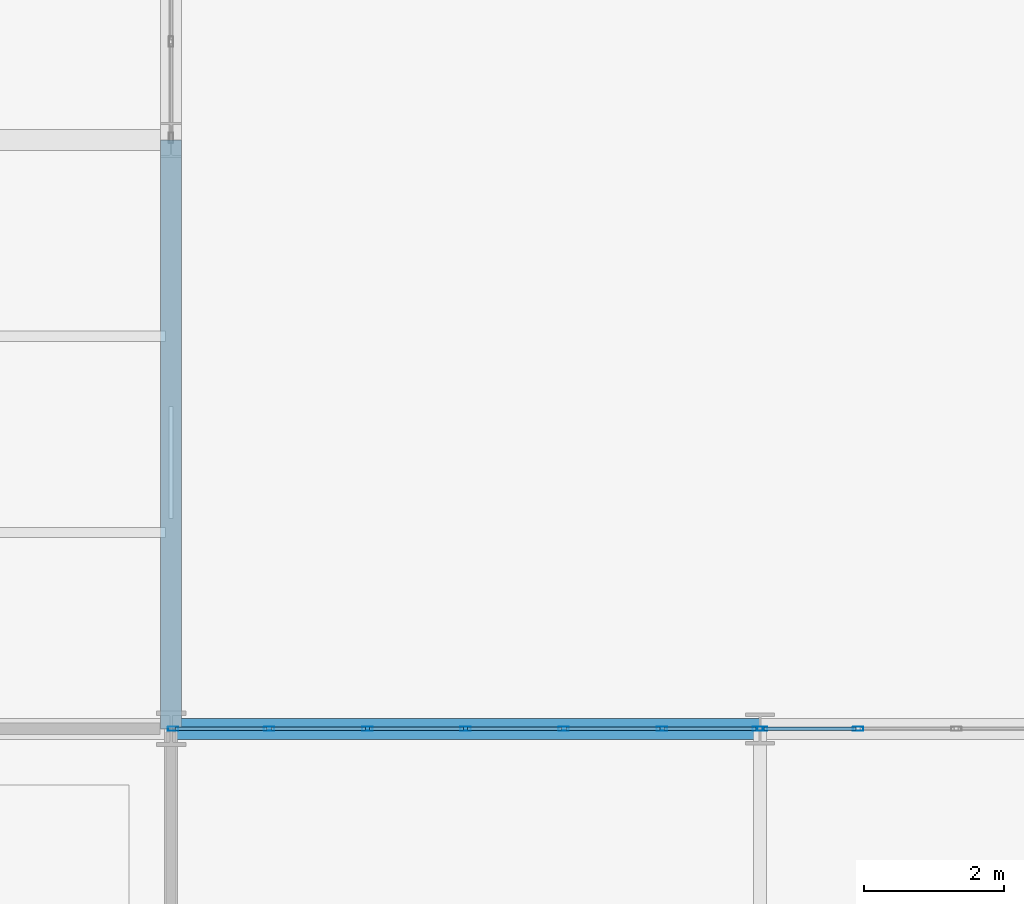
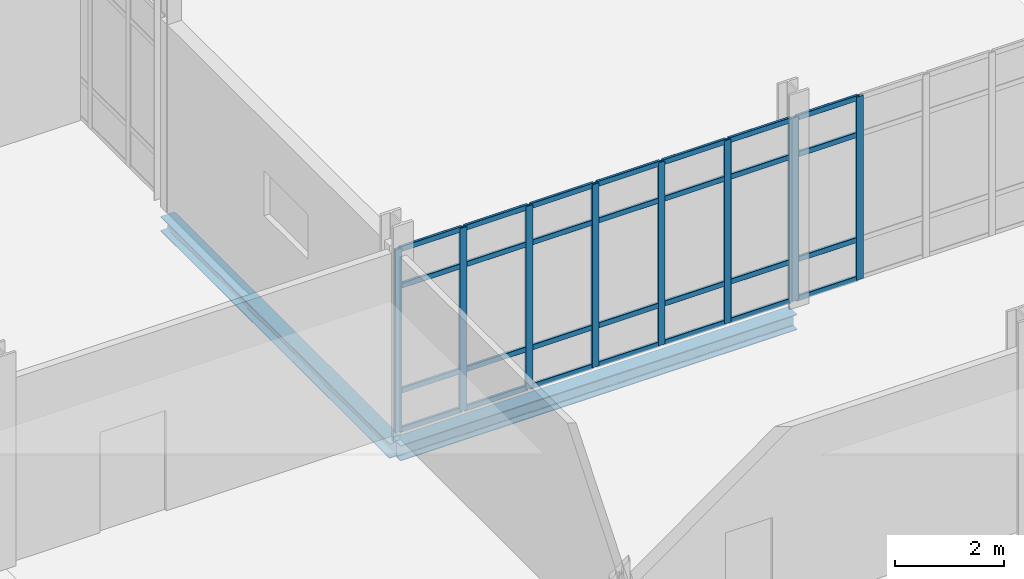
# One storey, part 39 of 145: 37 members, 2 beams, 2 elements without a shape of their own.
"""IFC4 building model written with IfcOpenShell, lengths in metres."""

from ifc_helpers import new_model, si_unit, direction, frame, origin, origin_2d, place, context, subcontext, project, spatial, hollow_rectangle, i_section, extrude, material, layer, layer_set, material_profile, profile_set, type_object, element, aggregate, save


model = new_model("IFC4")

# Units and contexts
model_context = context("Model", 3, precision=1e-05, world=origin(), true_north=direction((0.0, 1.0)))
body_context = subcontext(model_context, "Body", "Model", "MODEL_VIEW")
ifc_project = project(units=[si_unit("LENGTHUNIT", "METRE"), si_unit("AREAUNIT", "SQUARE_METRE"), si_unit("VOLUMEUNIT", "CUBIC_METRE"), si_unit("PLANEANGLEUNIT", "RADIAN"), si_unit("MASSUNIT", "GRAM", prefix="KILO")], contexts=[model_context])

# Site, building, storey
site_placement = place(None, origin())
site = spatial("IfcSite", under=ifc_project, at=site_placement, CompositionType="ELEMENT")
building_placement = place(site_placement, origin())
building = spatial("IfcBuilding", under=site, at=building_placement, Name="Qalvenar Corner Mobility Hub", CompositionType="ELEMENT")
storey_placement = place(building_placement, origin())
storey = spatial("IfcBuildingStorey", under=building, at=storey_placement, Name="L00", CompositionType="ELEMENT", Elevation=0.0)

# Beams
ifc_material_1 = material(Name="Steel S355", Category="steel")
ifc_material_profile_1 = material_profile(ifc_material_1, i_section(OverallWidth=0.300048828125, OverallDepth=0.330078125, WebThickness=0.009521484375, FlangeThickness=0.0166015625, FilletRadius=0.027099609375, at=origin_2d()), Name="HEA340")
ifc_profile_set_1 = profile_set([ifc_material_profile_1], Name="Steel S355")
beam_type_1 = type_object("IfcBeamType", Name="BM-SPN340", PredefinedType="SPANDREL", material=ifc_profile_set_1)
beam_1_placement = place(storey_placement, frame((33.60009765625, 42.0, -0.385009765625), z_axis=(0.0, 1.0, 0.0), x_axis=(-1.0, 0.0, 0.0)))
element("IfcBeam", 1, at=beam_1_placement, inside=storey, type_object=beam_type_1, Name="Primary Steel Girder GY-0471", PredefinedType="SPANDREL", context=body_context, shape_type="SweptSolid", body=[
    extrude(i_section(OverallWidth=0.300048828125, OverallDepth=0.330078125, WebThickness=0.009521484375, FlangeThickness=0.0166015625, FilletRadius=0.027099609375, at=origin_2d()), origin(), (0.0, 0.0, 1.0), 8.39990234375),
])
ifc_material_profile_2 = material_profile(ifc_material_1, i_section(OverallWidth=0.300048828125, OverallDepth=0.35009765625, WebThickness=0.010009765625, FlangeThickness=0.017578125, FilletRadius=0.027099609375, at=origin_2d()), Name="HEA360")
ifc_profile_set_2 = profile_set([ifc_material_profile_2], Name="Steel S355")
beam_type_2 = type_object("IfcBeamType", Name="BM-SPN360", PredefinedType="SPANDREL", material=ifc_profile_set_2)
beam_2_placement = place(storey_placement, frame((33.60009765625, 42.0, -0.39501953125), z_axis=(1.0, 0.0, 0.0), x_axis=(0.0, 1.0, 0.0)))
element("IfcBeam", 2, at=beam_2_placement, inside=storey, type_object=beam_type_2, Name="Primary Steel Girder GX-0035", PredefinedType="SPANDREL", context=body_context, shape_type="SweptSolid", body=[
    extrude(i_section(OverallWidth=0.300048828125, OverallDepth=0.35009765625, WebThickness=0.010009765625, FlangeThickness=0.017578125, FilletRadius=0.027099609375, at=origin_2d()), origin(), (0.0, 0.0, 1.0), 8.39990234375),
])

# Curtain wall, members
ifc_material_2 = material(Name="Anodised Aluminium and Low-E Glazing", Category="aluminium")
ifc_layer = layer(ifc_material_2, 0.14990234375)
ifc_layer_set = layer_set([ifc_layer], Name="Anodised Aluminium and Low-E Glazing")
curtain_wall_type = type_object("IfcCurtainWallType", Name="CW-CIV-84X46", PredefinedType="NOTDEFINED", material=ifc_layer_set)
curtain_wall_1_placement = place(storey_placement, origin())
curtain_wall_1 = element("IfcCurtainWall", 3, at=curtain_wall_1_placement, inside=storey, type_object=curtain_wall_type, Name="Glazed Curtain Wall CW-V3-L00-N005", PredefinedType="NOTDEFINED")
ifc_material_3 = material(Name="Anodised Aluminium 6063-T6", Category="aluminium")
ifc_material_profile_3 = material_profile(ifc_material_3, hollow_rectangle(XDim=0.06005859375, YDim=0.14990234375, WallThickness=0.00390625, InnerFilletRadius=0.00390625, OuterFilletRadius=0.008056640625, at=origin_2d()), Name="RHS150x60x4")
ifc_profile_set_3 = profile_set([ifc_material_profile_3], Name="Anodised Aluminium 6063-T6")
member_type_1 = type_object("IfcMemberType", Name="CW-MUL150", PredefinedType="MULLION", material=ifc_profile_set_3)
member_1_placement = place(storey_placement, frame((43.39990234375, 42.0, 0.0), z_axis=(0.0, 0.0, 1.0), x_axis=(0.0, -1.0, 0.0)))
member_1 = element("IfcMember", 4, at=member_1_placement, type_object=member_type_1, Name="CW-04 mullion 6", PredefinedType="MULLION", context=body_context, shape_type="SweptSolid", body=[
    extrude(hollow_rectangle(XDim=0.06005859375, YDim=0.14990234375, WallThickness=0.00390625, InnerFilletRadius=0.00390625, OuterFilletRadius=0.008056640625, at=origin_2d()), origin(), (0.0, 0.0, 1.0), 4.10009765625),
])
member_2_placement = place(storey_placement, frame((42.030029296875, 42.0, 0.0), z_axis=(0.0, 0.0, 1.0), x_axis=(0.0, -1.0, 0.0)))
member_2 = element("IfcMember", 5, at=member_2_placement, type_object=member_type_1, Name="CW-04 mullion 7", PredefinedType="MULLION", context=body_context, shape_type="SweptSolid", body=[
    extrude(hollow_rectangle(XDim=0.06005859375, YDim=0.14990234375, WallThickness=0.00390625, InnerFilletRadius=0.00390625, OuterFilletRadius=0.008056640625, at=origin_2d()), origin(), (0.0, 0.0, 1.0), 4.10009765625),
])

curtain_wall_2_placement = place(storey_placement, origin())
curtain_wall_2 = element("IfcCurtainWall", 6, at=curtain_wall_2_placement, inside=storey, type_object=curtain_wall_type, Name="Glazed Curtain Wall CW-V3-L00-N006", PredefinedType="NOTDEFINED")
member_3_placement = place(storey_placement, frame((41.969970703125, 42.0, 0.0), z_axis=(0.0, 0.0, 1.0), x_axis=(0.0, -1.0, 0.0)))
member_3 = element("IfcMember", 7, at=member_3_placement, type_object=member_type_1, Name="CW-04 mullion 1", PredefinedType="MULLION", context=body_context, shape_type="SweptSolid", body=[
    extrude(hollow_rectangle(XDim=0.06005859375, YDim=0.14990234375, WallThickness=0.00390625, InnerFilletRadius=0.00390625, OuterFilletRadius=0.008056640625, at=origin_2d()), origin(), (0.0, 0.0, 1.0), 4.10009765625),
])
member_4_placement = place(storey_placement, frame((40.60009765625, 42.0, 0.0), z_axis=(0.0, 0.0, 1.0), x_axis=(0.0, -1.0, 0.0)))
member_4 = element("IfcMember", 8, at=member_4_placement, type_object=member_type_1, Name="CW-04 mullion 2", PredefinedType="MULLION", context=body_context, shape_type="SweptSolid", body=[
    extrude(hollow_rectangle(XDim=0.06005859375, YDim=0.14990234375, WallThickness=0.00390625, InnerFilletRadius=0.00390625, OuterFilletRadius=0.008056640625, at=origin_2d()), origin(), (0.0, 0.0, 1.0), 4.10009765625),
])
member_5_placement = place(storey_placement, frame((39.199951171875, 42.0, 0.0), z_axis=(0.0, 0.0, 1.0), x_axis=(0.0, -1.0, 0.0)))
member_5 = element("IfcMember", 9, at=member_5_placement, type_object=member_type_1, Name="CW-04 mullion 3", PredefinedType="MULLION", context=body_context, shape_type="SweptSolid", body=[
    extrude(hollow_rectangle(XDim=0.06005859375, YDim=0.14990234375, WallThickness=0.00390625, InnerFilletRadius=0.00390625, OuterFilletRadius=0.008056640625, at=origin_2d()), origin(), (0.0, 0.0, 1.0), 4.10009765625),
])
member_6_placement = place(storey_placement, frame((37.800048828125, 42.0, 0.0), z_axis=(0.0, 0.0, 1.0), x_axis=(0.0, -1.0, 0.0)))
member_6 = element("IfcMember", 10, at=member_6_placement, type_object=member_type_1, Name="CW-04 mullion 4", PredefinedType="MULLION", context=body_context, shape_type="SweptSolid", body=[
    extrude(hollow_rectangle(XDim=0.06005859375, YDim=0.14990234375, WallThickness=0.00390625, InnerFilletRadius=0.00390625, OuterFilletRadius=0.008056640625, at=origin_2d()), origin(), (0.0, 0.0, 1.0), 4.10009765625),
])
member_7_placement = place(storey_placement, frame((36.39990234375, 42.0, 0.0), z_axis=(0.0, 0.0, 1.0), x_axis=(0.0, -1.0, 0.0)))
member_7 = element("IfcMember", 11, at=member_7_placement, type_object=member_type_1, Name="CW-04 mullion 5", PredefinedType="MULLION", context=body_context, shape_type="SweptSolid", body=[
    extrude(hollow_rectangle(XDim=0.06005859375, YDim=0.14990234375, WallThickness=0.00390625, InnerFilletRadius=0.00390625, OuterFilletRadius=0.008056640625, at=origin_2d()), origin(), (0.0, 0.0, 1.0), 4.10009765625),
])
member_8_placement = place(storey_placement, frame((35.0, 42.0, 0.0), z_axis=(0.0, 0.0, 1.0), x_axis=(0.0, -1.0, 0.0)))
member_8 = element("IfcMember", 12, at=member_8_placement, type_object=member_type_1, Name="CW-04 mullion 6", PredefinedType="MULLION", context=body_context, shape_type="SweptSolid", body=[
    extrude(hollow_rectangle(XDim=0.06005859375, YDim=0.14990234375, WallThickness=0.00390625, InnerFilletRadius=0.00390625, OuterFilletRadius=0.008056640625, at=origin_2d()), origin(), (0.0, 0.0, 1.0), 4.10009765625),
])
member_9_placement = place(storey_placement, frame((33.6298828125, 42.0, 0.0), z_axis=(0.0, 0.0, 1.0), x_axis=(0.0, -1.0, 0.0)))
member_9 = element("IfcMember", 13, at=member_9_placement, type_object=member_type_1, Name="CW-04 mullion 7", PredefinedType="MULLION", context=body_context, shape_type="SweptSolid", body=[
    extrude(hollow_rectangle(XDim=0.06005859375, YDim=0.14990234375, WallThickness=0.00390625, InnerFilletRadius=0.00390625, OuterFilletRadius=0.008056640625, at=origin_2d()), origin(), (0.0, 0.0, 1.0), 4.10009765625),
])

# Member
ifc_material_profile_4 = material_profile(ifc_material_3, hollow_rectangle(XDim=0.054931640625, YDim=0.1201171875, WallThickness=0.00341796875, InnerFilletRadius=0.00341796875, OuterFilletRadius=0.007080078125, at=origin_2d()), Name="RHS120x55x3.5")
ifc_profile_set_4 = profile_set([ifc_material_profile_4], Name="Anodised Aluminium 6063-T6")
member_type_2 = type_object("IfcMemberType", Name="CW-TRN120", PredefinedType="USERDEFINED", material=ifc_profile_set_4)
member_10_placement = place(storey_placement, frame((43.3701171875, 42.0, 0.027587890625), z_axis=(-1.0, 0.0, 0.0), x_axis=(0.0, -1.0, 0.0)))
member_10 = element("IfcMember", 14, at=member_10_placement, type_object=member_type_2, Name="CW-04 transom 6.1", ObjectType="TRANSOM", PredefinedType="USERDEFINED", context=body_context, shape_type="SweptSolid", body=[
    extrude(hollow_rectangle(XDim=0.054931640625, YDim=0.1201171875, WallThickness=0.00341796875, InnerFilletRadius=0.00341796875, OuterFilletRadius=0.007080078125, at=origin_2d()), origin(), (0.0, 0.0, 1.0), 1.31005859375),
])

member_11_placement = place(storey_placement, frame((43.3701171875, 42.0, 0.89990234375), z_axis=(-1.0, 0.0, 0.0), x_axis=(0.0, -1.0, 0.0)))
member_11 = element("IfcMember", 15, at=member_11_placement, type_object=member_type_2, Name="CW-04 transom 6.2", ObjectType="TRANSOM", PredefinedType="USERDEFINED", context=body_context, shape_type="SweptSolid", body=[
    extrude(hollow_rectangle(XDim=0.054931640625, YDim=0.1201171875, WallThickness=0.00341796875, InnerFilletRadius=0.00341796875, OuterFilletRadius=0.007080078125, at=origin_2d()), origin(), (0.0, 0.0, 1.0), 1.31005859375),
])

member_12_placement = place(storey_placement, frame((43.3701171875, 42.0, 3.25), z_axis=(-1.0, 0.0, 0.0), x_axis=(0.0, -1.0, 0.0)))
member_12 = element("IfcMember", 16, at=member_12_placement, type_object=member_type_2, Name="CW-04 transom 6.3", ObjectType="TRANSOM", PredefinedType="USERDEFINED", context=body_context, shape_type="SweptSolid", body=[
    extrude(hollow_rectangle(XDim=0.054931640625, YDim=0.1201171875, WallThickness=0.00341796875, InnerFilletRadius=0.00341796875, OuterFilletRadius=0.007080078125, at=origin_2d()), origin(), (0.0, 0.0, 1.0), 1.31005859375),
])

member_13_placement = place(storey_placement, frame((43.3701171875, 42.0, 4.072509765625), z_axis=(-1.0, 0.0, 0.0), x_axis=(0.0, -1.0, 0.0)))
member_13 = element("IfcMember", 17, at=member_13_placement, type_object=member_type_2, Name="CW-04 transom 6.4", ObjectType="TRANSOM", PredefinedType="USERDEFINED", context=body_context, shape_type="SweptSolid", body=[
    extrude(hollow_rectangle(XDim=0.054931640625, YDim=0.1201171875, WallThickness=0.00341796875, InnerFilletRadius=0.00341796875, OuterFilletRadius=0.007080078125, at=origin_2d()), origin(), (0.0, 0.0, 1.0), 1.31005859375),
])

aggregate(curtain_wall_1, [member_1, member_2, member_10, member_11, member_12, member_13])

member_14_placement = place(storey_placement, frame((41.93994140625, 42.0, 0.027587890625), z_axis=(-1.0, 0.0, 0.0), x_axis=(0.0, -1.0, 0.0)))
member_14 = element("IfcMember", 18, at=member_14_placement, type_object=member_type_2, Name="CW-04 transom 1.1", ObjectType="TRANSOM", PredefinedType="USERDEFINED", context=body_context, shape_type="SweptSolid", body=[
    extrude(hollow_rectangle(XDim=0.054931640625, YDim=0.1201171875, WallThickness=0.00341796875, InnerFilletRadius=0.00341796875, OuterFilletRadius=0.007080078125, at=origin_2d()), origin(), (0.0, 0.0, 1.0), 1.31005859375),
])

member_15_placement = place(storey_placement, frame((41.93994140625, 42.0, 0.89990234375), z_axis=(-1.0, 0.0, 0.0), x_axis=(0.0, -1.0, 0.0)))
member_15 = element("IfcMember", 19, at=member_15_placement, type_object=member_type_2, Name="CW-04 transom 1.2", ObjectType="TRANSOM", PredefinedType="USERDEFINED", context=body_context, shape_type="SweptSolid", body=[
    extrude(hollow_rectangle(XDim=0.054931640625, YDim=0.1201171875, WallThickness=0.00341796875, InnerFilletRadius=0.00341796875, OuterFilletRadius=0.007080078125, at=origin_2d()), origin(), (0.0, 0.0, 1.0), 1.31005859375),
])

member_16_placement = place(storey_placement, frame((41.93994140625, 42.0, 3.25), z_axis=(-1.0, 0.0, 0.0), x_axis=(0.0, -1.0, 0.0)))
member_16 = element("IfcMember", 20, at=member_16_placement, type_object=member_type_2, Name="CW-04 transom 1.3", ObjectType="TRANSOM", PredefinedType="USERDEFINED", context=body_context, shape_type="SweptSolid", body=[
    extrude(hollow_rectangle(XDim=0.054931640625, YDim=0.1201171875, WallThickness=0.00341796875, InnerFilletRadius=0.00341796875, OuterFilletRadius=0.007080078125, at=origin_2d()), origin(), (0.0, 0.0, 1.0), 1.31005859375),
])

member_17_placement = place(storey_placement, frame((41.93994140625, 42.0, 4.072509765625), z_axis=(-1.0, 0.0, 0.0), x_axis=(0.0, -1.0, 0.0)))
member_17 = element("IfcMember", 21, at=member_17_placement, type_object=member_type_2, Name="CW-04 transom 1.4", ObjectType="TRANSOM", PredefinedType="USERDEFINED", context=body_context, shape_type="SweptSolid", body=[
    extrude(hollow_rectangle(XDim=0.054931640625, YDim=0.1201171875, WallThickness=0.00341796875, InnerFilletRadius=0.00341796875, OuterFilletRadius=0.007080078125, at=origin_2d()), origin(), (0.0, 0.0, 1.0), 1.31005859375),
])

member_18_placement = place(storey_placement, frame((40.570068359375, 42.0, 0.027587890625), z_axis=(-1.0, 0.0, 0.0), x_axis=(0.0, -1.0, 0.0)))
member_18 = element("IfcMember", 22, at=member_18_placement, type_object=member_type_2, Name="CW-04 transom 2.1", ObjectType="TRANSOM", PredefinedType="USERDEFINED", context=body_context, shape_type="SweptSolid", body=[
    extrude(hollow_rectangle(XDim=0.054931640625, YDim=0.1201171875, WallThickness=0.00341796875, InnerFilletRadius=0.00341796875, OuterFilletRadius=0.007080078125, at=origin_2d()), origin(), (0.0, 0.0, 1.0), 1.340087890625),
])

member_19_placement = place(storey_placement, frame((40.570068359375, 42.0, 0.89990234375), z_axis=(-1.0, 0.0, 0.0), x_axis=(0.0, -1.0, 0.0)))
member_19 = element("IfcMember", 23, at=member_19_placement, type_object=member_type_2, Name="CW-04 transom 2.2", ObjectType="TRANSOM", PredefinedType="USERDEFINED", context=body_context, shape_type="SweptSolid", body=[
    extrude(hollow_rectangle(XDim=0.054931640625, YDim=0.1201171875, WallThickness=0.00341796875, InnerFilletRadius=0.00341796875, OuterFilletRadius=0.007080078125, at=origin_2d()), origin(), (0.0, 0.0, 1.0), 1.340087890625),
])

member_20_placement = place(storey_placement, frame((40.570068359375, 42.0, 3.25), z_axis=(-1.0, 0.0, 0.0), x_axis=(0.0, -1.0, 0.0)))
member_20 = element("IfcMember", 24, at=member_20_placement, type_object=member_type_2, Name="CW-04 transom 2.3", ObjectType="TRANSOM", PredefinedType="USERDEFINED", context=body_context, shape_type="SweptSolid", body=[
    extrude(hollow_rectangle(XDim=0.054931640625, YDim=0.1201171875, WallThickness=0.00341796875, InnerFilletRadius=0.00341796875, OuterFilletRadius=0.007080078125, at=origin_2d()), origin(), (0.0, 0.0, 1.0), 1.340087890625),
])

member_21_placement = place(storey_placement, frame((40.570068359375, 42.0, 4.072509765625), z_axis=(-1.0, 0.0, 0.0), x_axis=(0.0, -1.0, 0.0)))
member_21 = element("IfcMember", 25, at=member_21_placement, type_object=member_type_2, Name="CW-04 transom 2.4", ObjectType="TRANSOM", PredefinedType="USERDEFINED", context=body_context, shape_type="SweptSolid", body=[
    extrude(hollow_rectangle(XDim=0.054931640625, YDim=0.1201171875, WallThickness=0.00341796875, InnerFilletRadius=0.00341796875, OuterFilletRadius=0.007080078125, at=origin_2d()), origin(), (0.0, 0.0, 1.0), 1.340087890625),
])

member_22_placement = place(storey_placement, frame((39.169921875, 42.0, 0.027587890625), z_axis=(-1.0, 0.0, 0.0), x_axis=(0.0, -1.0, 0.0)))
member_22 = element("IfcMember", 26, at=member_22_placement, type_object=member_type_2, Name="CW-04 transom 3.1", ObjectType="TRANSOM", PredefinedType="USERDEFINED", context=body_context, shape_type="SweptSolid", body=[
    extrude(hollow_rectangle(XDim=0.054931640625, YDim=0.1201171875, WallThickness=0.00341796875, InnerFilletRadius=0.00341796875, OuterFilletRadius=0.007080078125, at=origin_2d()), origin(), (0.0, 0.0, 1.0), 1.33984375),
])

member_23_placement = place(storey_placement, frame((39.169921875, 42.0, 0.89990234375), z_axis=(-1.0, 0.0, 0.0), x_axis=(0.0, -1.0, 0.0)))
member_23 = element("IfcMember", 27, at=member_23_placement, type_object=member_type_2, Name="CW-04 transom 3.2", ObjectType="TRANSOM", PredefinedType="USERDEFINED", context=body_context, shape_type="SweptSolid", body=[
    extrude(hollow_rectangle(XDim=0.054931640625, YDim=0.1201171875, WallThickness=0.00341796875, InnerFilletRadius=0.00341796875, OuterFilletRadius=0.007080078125, at=origin_2d()), origin(), (0.0, 0.0, 1.0), 1.33984375),
])

member_24_placement = place(storey_placement, frame((39.169921875, 42.0, 3.25), z_axis=(-1.0, 0.0, 0.0), x_axis=(0.0, -1.0, 0.0)))
member_24 = element("IfcMember", 28, at=member_24_placement, type_object=member_type_2, Name="CW-04 transom 3.3", ObjectType="TRANSOM", PredefinedType="USERDEFINED", context=body_context, shape_type="SweptSolid", body=[
    extrude(hollow_rectangle(XDim=0.054931640625, YDim=0.1201171875, WallThickness=0.00341796875, InnerFilletRadius=0.00341796875, OuterFilletRadius=0.007080078125, at=origin_2d()), origin(), (0.0, 0.0, 1.0), 1.33984375),
])

member_25_placement = place(storey_placement, frame((39.169921875, 42.0, 4.072509765625), z_axis=(-1.0, 0.0, 0.0), x_axis=(0.0, -1.0, 0.0)))
member_25 = element("IfcMember", 29, at=member_25_placement, type_object=member_type_2, Name="CW-04 transom 3.4", ObjectType="TRANSOM", PredefinedType="USERDEFINED", context=body_context, shape_type="SweptSolid", body=[
    extrude(hollow_rectangle(XDim=0.054931640625, YDim=0.1201171875, WallThickness=0.00341796875, InnerFilletRadius=0.00341796875, OuterFilletRadius=0.007080078125, at=origin_2d()), origin(), (0.0, 0.0, 1.0), 1.33984375),
])

member_26_placement = place(storey_placement, frame((37.77001953125, 42.0, 0.027587890625), z_axis=(-1.0, 0.0, 0.0), x_axis=(0.0, -1.0, 0.0)))
member_26 = element("IfcMember", 30, at=member_26_placement, type_object=member_type_2, Name="CW-04 transom 4.1", ObjectType="TRANSOM", PredefinedType="USERDEFINED", context=body_context, shape_type="SweptSolid", body=[
    extrude(hollow_rectangle(XDim=0.054931640625, YDim=0.1201171875, WallThickness=0.00341796875, InnerFilletRadius=0.00341796875, OuterFilletRadius=0.007080078125, at=origin_2d()), origin(), (0.0, 0.0, 1.0), 1.340087890625),
])

member_27_placement = place(storey_placement, frame((37.77001953125, 42.0, 0.89990234375), z_axis=(-1.0, 0.0, 0.0), x_axis=(0.0, -1.0, 0.0)))
member_27 = element("IfcMember", 31, at=member_27_placement, type_object=member_type_2, Name="CW-04 transom 4.2", ObjectType="TRANSOM", PredefinedType="USERDEFINED", context=body_context, shape_type="SweptSolid", body=[
    extrude(hollow_rectangle(XDim=0.054931640625, YDim=0.1201171875, WallThickness=0.00341796875, InnerFilletRadius=0.00341796875, OuterFilletRadius=0.007080078125, at=origin_2d()), origin(), (0.0, 0.0, 1.0), 1.340087890625),
])

member_28_placement = place(storey_placement, frame((37.77001953125, 42.0, 3.25), z_axis=(-1.0, 0.0, 0.0), x_axis=(0.0, -1.0, 0.0)))
member_28 = element("IfcMember", 32, at=member_28_placement, type_object=member_type_2, Name="CW-04 transom 4.3", ObjectType="TRANSOM", PredefinedType="USERDEFINED", context=body_context, shape_type="SweptSolid", body=[
    extrude(hollow_rectangle(XDim=0.054931640625, YDim=0.1201171875, WallThickness=0.00341796875, InnerFilletRadius=0.00341796875, OuterFilletRadius=0.007080078125, at=origin_2d()), origin(), (0.0, 0.0, 1.0), 1.340087890625),
])

member_29_placement = place(storey_placement, frame((37.77001953125, 42.0, 4.072509765625), z_axis=(-1.0, 0.0, 0.0), x_axis=(0.0, -1.0, 0.0)))
member_29 = element("IfcMember", 33, at=member_29_placement, type_object=member_type_2, Name="CW-04 transom 4.4", ObjectType="TRANSOM", PredefinedType="USERDEFINED", context=body_context, shape_type="SweptSolid", body=[
    extrude(hollow_rectangle(XDim=0.054931640625, YDim=0.1201171875, WallThickness=0.00341796875, InnerFilletRadius=0.00341796875, OuterFilletRadius=0.007080078125, at=origin_2d()), origin(), (0.0, 0.0, 1.0), 1.340087890625),
])

member_30_placement = place(storey_placement, frame((36.3701171875, 42.0, 0.027587890625), z_axis=(-1.0, 0.0, 0.0), x_axis=(0.0, -1.0, 0.0)))
member_30 = element("IfcMember", 34, at=member_30_placement, type_object=member_type_2, Name="CW-04 transom 5.1", ObjectType="TRANSOM", PredefinedType="USERDEFINED", context=body_context, shape_type="SweptSolid", body=[
    extrude(hollow_rectangle(XDim=0.054931640625, YDim=0.1201171875, WallThickness=0.00341796875, InnerFilletRadius=0.00341796875, OuterFilletRadius=0.007080078125, at=origin_2d()), origin(), (0.0, 0.0, 1.0), 1.340087890625),
])

member_31_placement = place(storey_placement, frame((36.3701171875, 42.0, 0.89990234375), z_axis=(-1.0, 0.0, 0.0), x_axis=(0.0, -1.0, 0.0)))
member_31 = element("IfcMember", 35, at=member_31_placement, type_object=member_type_2, Name="CW-04 transom 5.2", ObjectType="TRANSOM", PredefinedType="USERDEFINED", context=body_context, shape_type="SweptSolid", body=[
    extrude(hollow_rectangle(XDim=0.054931640625, YDim=0.1201171875, WallThickness=0.00341796875, InnerFilletRadius=0.00341796875, OuterFilletRadius=0.007080078125, at=origin_2d()), origin(), (0.0, 0.0, 1.0), 1.340087890625),
])

member_32_placement = place(storey_placement, frame((36.3701171875, 42.0, 3.25), z_axis=(-1.0, 0.0, 0.0), x_axis=(0.0, -1.0, 0.0)))
member_32 = element("IfcMember", 36, at=member_32_placement, type_object=member_type_2, Name="CW-04 transom 5.3", ObjectType="TRANSOM", PredefinedType="USERDEFINED", context=body_context, shape_type="SweptSolid", body=[
    extrude(hollow_rectangle(XDim=0.054931640625, YDim=0.1201171875, WallThickness=0.00341796875, InnerFilletRadius=0.00341796875, OuterFilletRadius=0.007080078125, at=origin_2d()), origin(), (0.0, 0.0, 1.0), 1.340087890625),
])

member_33_placement = place(storey_placement, frame((36.3701171875, 42.0, 4.072509765625), z_axis=(-1.0, 0.0, 0.0), x_axis=(0.0, -1.0, 0.0)))
member_33 = element("IfcMember", 37, at=member_33_placement, type_object=member_type_2, Name="CW-04 transom 5.4", ObjectType="TRANSOM", PredefinedType="USERDEFINED", context=body_context, shape_type="SweptSolid", body=[
    extrude(hollow_rectangle(XDim=0.054931640625, YDim=0.1201171875, WallThickness=0.00341796875, InnerFilletRadius=0.00341796875, OuterFilletRadius=0.007080078125, at=origin_2d()), origin(), (0.0, 0.0, 1.0), 1.340087890625),
])

member_34_placement = place(storey_placement, frame((34.969970703125, 42.0, 0.027587890625), z_axis=(-1.0, 0.0, 0.0), x_axis=(0.0, -1.0, 0.0)))
member_34 = element("IfcMember", 38, at=member_34_placement, type_object=member_type_2, Name="CW-04 transom 6.1", ObjectType="TRANSOM", PredefinedType="USERDEFINED", context=body_context, shape_type="SweptSolid", body=[
    extrude(hollow_rectangle(XDim=0.054931640625, YDim=0.1201171875, WallThickness=0.00341796875, InnerFilletRadius=0.00341796875, OuterFilletRadius=0.007080078125, at=origin_2d()), origin(), (0.0, 0.0, 1.0), 1.31005859375),
])

member_35_placement = place(storey_placement, frame((34.969970703125, 42.0, 0.89990234375), z_axis=(-1.0, 0.0, 0.0), x_axis=(0.0, -1.0, 0.0)))
member_35 = element("IfcMember", 39, at=member_35_placement, type_object=member_type_2, Name="CW-04 transom 6.2", ObjectType="TRANSOM", PredefinedType="USERDEFINED", context=body_context, shape_type="SweptSolid", body=[
    extrude(hollow_rectangle(XDim=0.054931640625, YDim=0.1201171875, WallThickness=0.00341796875, InnerFilletRadius=0.00341796875, OuterFilletRadius=0.007080078125, at=origin_2d()), origin(), (0.0, 0.0, 1.0), 1.31005859375),
])

member_36_placement = place(storey_placement, frame((34.969970703125, 42.0, 3.25), z_axis=(-1.0, 0.0, 0.0), x_axis=(0.0, -1.0, 0.0)))
member_36 = element("IfcMember", 40, at=member_36_placement, type_object=member_type_2, Name="CW-04 transom 6.3", ObjectType="TRANSOM", PredefinedType="USERDEFINED", context=body_context, shape_type="SweptSolid", body=[
    extrude(hollow_rectangle(XDim=0.054931640625, YDim=0.1201171875, WallThickness=0.00341796875, InnerFilletRadius=0.00341796875, OuterFilletRadius=0.007080078125, at=origin_2d()), origin(), (0.0, 0.0, 1.0), 1.31005859375),
])

member_37_placement = place(storey_placement, frame((34.969970703125, 42.0, 4.072509765625), z_axis=(-1.0, 0.0, 0.0), x_axis=(0.0, -1.0, 0.0)))
member_37 = element("IfcMember", 41, at=member_37_placement, type_object=member_type_2, Name="CW-04 transom 6.4", ObjectType="TRANSOM", PredefinedType="USERDEFINED", context=body_context, shape_type="SweptSolid", body=[
    extrude(hollow_rectangle(XDim=0.054931640625, YDim=0.1201171875, WallThickness=0.00341796875, InnerFilletRadius=0.00341796875, OuterFilletRadius=0.007080078125, at=origin_2d()), origin(), (0.0, 0.0, 1.0), 1.31005859375),
])

aggregate(curtain_wall_2, [member_3, member_4, member_5, member_6, member_7, member_8, member_9, member_14, member_15, member_16, member_17, member_18, member_19, member_20, member_21, member_22, member_23, member_24, member_25, member_26, member_27, member_28, member_29, member_30, member_31, member_32, member_33, member_34, member_35, member_36, member_37])

save(model, "model.ifc")
